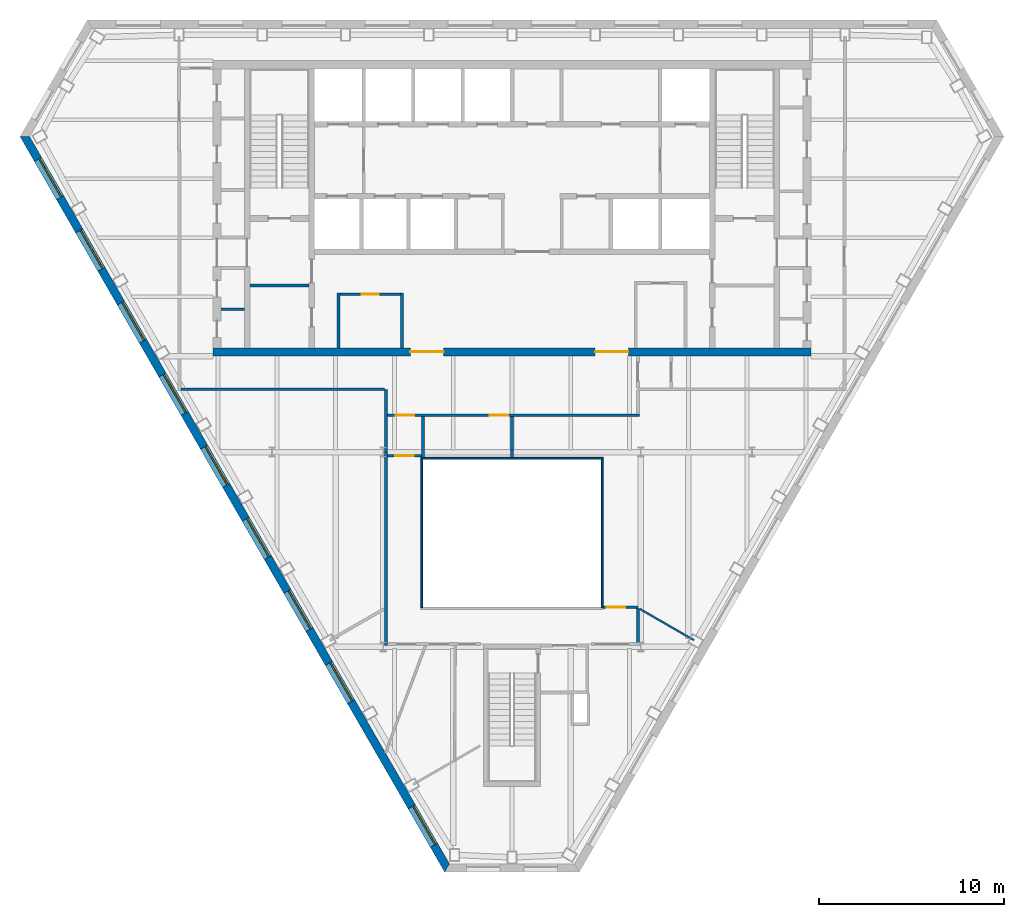
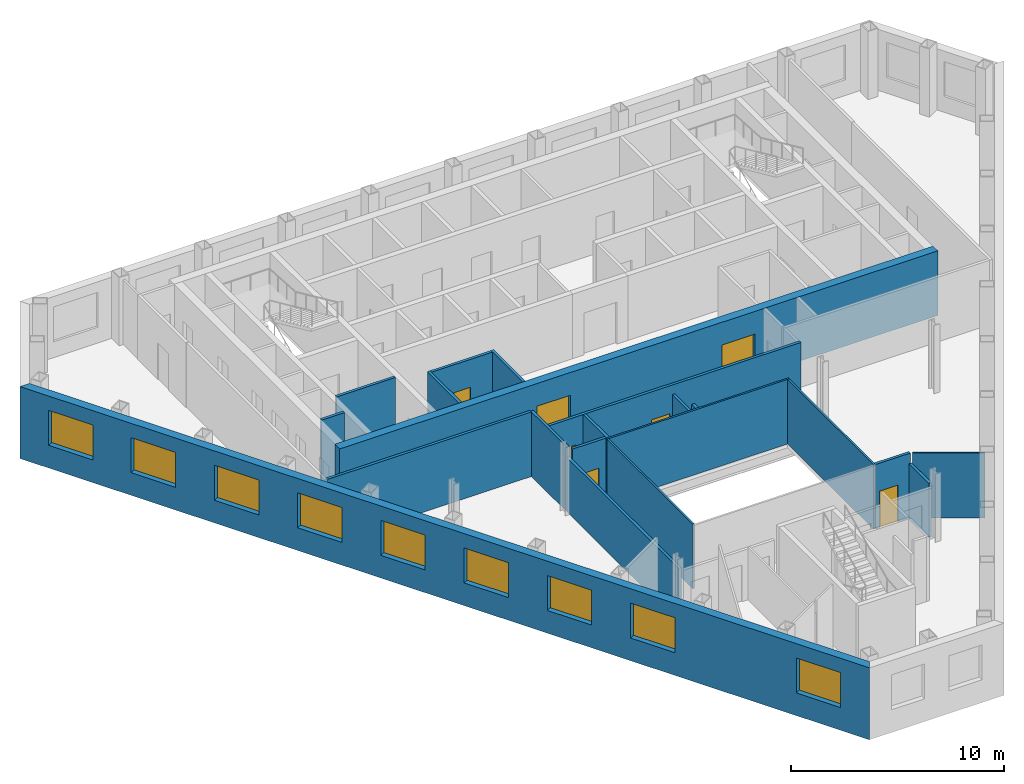
# One storey, part 4 of 11: 21 walls, 9 windows, 7 doors, 16 openings.
"""IFC4 building model written with IfcOpenShell, lengths in metres."""

from ifc_helpers import new_model, si_unit, direction, frame, frame_2d, origin, place, context, subcontext, project, spatial, polyline, rectangle, outline, extrude, material, layer, layer_set, type_object, element, fill, save


model = new_model("IFC4")

# Units and contexts
model_context = context("Model", 3, precision=1e-05, world=origin(), true_north=direction((0.0, 1.0)))
body_context = subcontext(model_context, "Body", "Model", "MODEL_VIEW")
ifc_project = project(units=[si_unit("LENGTHUNIT", "METRE"), si_unit("AREAUNIT", "SQUARE_METRE"), si_unit("VOLUMEUNIT", "CUBIC_METRE"), si_unit("PLANEANGLEUNIT", "RADIAN"), si_unit("MASSUNIT", "GRAM", prefix="KILO")], contexts=[model_context])

# Site, building, storey
site_placement = place(None, origin())
site = spatial("IfcSite", under=ifc_project, at=site_placement, CompositionType="ELEMENT")
building_placement = place(site_placement, origin())
building = spatial("IfcBuilding", under=site, at=building_placement, Name="Njiva Tower", CompositionType="ELEMENT")
storey_placement = place(building_placement, frame((0.0, 0.0, 212.1)))
storey = spatial("IfcBuildingStorey", under=building, at=storey_placement, Name="L47", CompositionType="ELEMENT", Elevation=212.1)

# Walls
ifc_material_1 = material(Name="Blockwork", Category="masonry")
ifc_layer_1 = layer(ifc_material_1, 0.15)
ifc_layer_set_1 = layer_set([ifc_layer_1], Name="Blockwork")
wall_type_1 = type_object("IfcWallType", Name="WT1 Compartment partition 150", PredefinedType="PARTITIONING", material=ifc_layer_set_1)
wall_1_placement = place(storey_placement, frame((-14.2, 5.825, 0.0), z_axis=(0.0, 0.0, 1.0), x_axis=(1.0, 0.0, 0.0)))
element("IfcWall", 1, at=wall_1_placement, inside=storey, type_object=wall_type_1, Name="Room wall A", PredefinedType="PARTITIONING", context=body_context, shape_type="SweptSolid", body=[
    extrude(rectangle(XDim=3.2, YDim=0.15, at=frame_2d((1.6, 0.0))), origin(), (0.0, 0.0, 1.0), 3.7),
])
wall_2_placement = place(storey_placement, frame((-15.75, 4.5363, 0.0), z_axis=(0.0, 0.0, 1.0), x_axis=(1.0, 0.0, 0.0)))
element("IfcWall", 2, at=wall_2_placement, inside=storey, type_object=wall_type_1, Name="Partition strip W00", PredefinedType="PARTITIONING", context=body_context, shape_type="SweptSolid", body=[
    extrude(rectangle(XDim=1.25, YDim=0.15, at=frame_2d((0.625, 0.0))), origin(), (0.0, 0.0, 1.0), 3.7),
])
for number, where, z_axis, x_axis, name in (
    (3, (-9.4, 2.45, 0.0), (0.0, 0.0, 1.0), (0.0, 1.0, 0.0), "Post room wall west"),
    (4, (-5.95, 2.45, 0.0), (0.0, 0.0, 1.0), (0.0, 1.0, 0.0), "Post room wall east"),
):
    element("IfcWall", number, at=place(storey_placement, frame(where, z_axis=z_axis, x_axis=x_axis)), inside=storey, type_object=wall_type_1, Name=name, PredefinedType="PARTITIONING", context=body_context, shape_type="SweptSolid", body=[
        extrude(rectangle(XDim=2.975, YDim=0.15, at=frame_2d((1.4875, 0.0))), origin(), (0.0, 0.0, 1.0), 3.7),
    ])

# Wall, opening, door
wall_3_placement = place(storey_placement, frame((-9.325, 5.35, 0.0), z_axis=(0.0, 0.0, 1.0), x_axis=(1.0, 0.0, 0.0)))
wall_3 = element("IfcWall", 5, at=wall_3_placement, inside=storey, type_object=wall_type_1, Name="Post room wall north", PredefinedType="PARTITIONING", context=body_context, shape_type="SweptSolid", body=[
    extrude(rectangle(XDim=3.3, YDim=0.15, at=frame_2d((1.65, 0.0))), origin(), (0.0, 0.0, 1.0), 3.7),
])
opening_1_placement = place(wall_3_placement, frame((1.2, 0.0, 0.0)))
opening_1 = element("IfcOpeningElement", 6, at=opening_1_placement, cuts=wall_3, Name="Opening S15-D935", PredefinedType="OPENING", context=body_context, shape_type="SweptSolid", body=[
    extrude(rectangle(XDim=0.9, YDim=2.1, at=frame_2d((0.45, 1.05))), frame((0.0, 0.085, 0.0), z_axis=(0.0, -1.0, 0.0), x_axis=(1.0, 0.0, 0.0)), (0.0, 0.0, 1.0), 0.17),
])
ifc_material_2 = material(Name="Steel fire door, painted", Category="steel")
door_type_1 = type_object("IfcDoorType", Name="D6 Fire-rated door 900x2100", OperationType="SINGLE_SWING_LEFT", PredefinedType="DOOR", material=ifc_material_2)
door_1_placement = place(opening_1_placement, origin())
door_1 = element("IfcDoor", 7, at=door_1_placement, inside=storey, type_object=door_type_1, Name="Post room door", OperationType="SINGLE_SWING_RIGHT", OverallHeight=2.1, OverallWidth=0.9, PredefinedType="DOOR", context=body_context, shape_type="SweptSolid", body=[
    extrude(rectangle(XDim=0.9, YDim=2.1, at=frame_2d((0.45, 1.05))), frame((0.0, 0.025, 0.0), z_axis=(0.0, -1.0, 0.0), x_axis=(1.0, 0.0, 0.0)), (0.0, 0.0, 1.0), 0.05),
])
fill(opening_1, door_1)

# Wall, openings, doors
ifc_material_3 = material(Name="Concrete C60/75", Category="concrete")
ifc_layer_2 = layer(ifc_material_3, 0.45)
ifc_layer_set_2 = layer_set([ifc_layer_2], Name="Concrete C60/75")
wall_type_2 = type_object("IfcWallType", Name="WT12 Core wall 450", PredefinedType="SHEAR", material=ifc_layer_set_2)
wall_4_placement = place(storey_placement, frame((-16.2, 2.225, 0.0), z_axis=(0.0, 0.0, 1.0), x_axis=(1.0, 0.0, 0.0)))
wall_4 = element("IfcWall", 8, at=wall_4_placement, inside=storey, type_object=wall_type_2, Name="Core wall south", PredefinedType="SHEAR", context=body_context, shape_type="SweptSolid", body=[
    extrude(rectangle(XDim=32.4, YDim=0.45, at=frame_2d((16.2, 0.0))), origin(), (0.0, 0.0, 1.0), 3.7),
])
opening_2_placement = place(wall_4_placement, frame((10.7, 0.0, 0.0)))
opening_2 = element("IfcOpeningElement", 9, at=opening_2_placement, cuts=wall_4, Name="Opening S15-D938", PredefinedType="OPENING", context=body_context, shape_type="SweptSolid", body=[
    extrude(rectangle(XDim=1.8, YDim=2.4, at=frame_2d((0.9, 1.2))), frame((0.0, 0.235, 0.0), z_axis=(0.0, -1.0, 0.0), x_axis=(1.0, 0.0, 0.0)), (0.0, 0.0, 1.0), 0.47),
])
opening_3_placement = place(wall_4_placement, frame((20.7, 0.0, 0.0)))
opening_3 = element("IfcOpeningElement", 10, at=opening_3_placement, cuts=wall_4, Name="Opening S15-D939", PredefinedType="OPENING", context=body_context, shape_type="SweptSolid", body=[
    extrude(rectangle(XDim=1.8, YDim=2.4, at=frame_2d((0.9, 1.2))), frame((0.0, 0.235, 0.0), z_axis=(0.0, -1.0, 0.0), x_axis=(1.0, 0.0, 0.0)), (0.0, 0.0, 1.0), 0.47),
])
ifc_material_4 = material(Name="Steel and glass door", Category="steel")
door_type_2 = type_object("IfcDoorType", Name="D3 Core entrance door 1800x2400", OperationType="DOUBLE_DOOR_SINGLE_SWING", PredefinedType="DOOR", material=ifc_material_4)
door_2_placement = place(opening_2_placement, origin())
door_2 = element("IfcDoor", 11, at=door_2_placement, inside=storey, type_object=door_type_2, Name="Core entrance door", OperationType="DOUBLE_DOOR_SINGLE_SWING", OverallHeight=2.4, OverallWidth=1.8, PredefinedType="DOOR", context=body_context, shape_type="SweptSolid", body=[
    extrude(rectangle(XDim=1.8, YDim=2.4, at=frame_2d((0.9, 1.2))), frame((0.0, 0.025, 0.0), z_axis=(0.0, -1.0, 0.0), x_axis=(1.0, 0.0, 0.0)), (0.0, 0.0, 1.0), 0.05),
])
fill(opening_2, door_2)
door_3_placement = place(opening_3_placement, origin())
door_3 = element("IfcDoor", 12, at=door_3_placement, inside=storey, type_object=door_type_2, Name="Core entrance door", OperationType="DOUBLE_DOOR_SINGLE_SWING", OverallHeight=2.4, OverallWidth=1.8, PredefinedType="DOOR", context=body_context, shape_type="SweptSolid", body=[
    extrude(rectangle(XDim=1.8, YDim=2.4, at=frame_2d((0.9, 1.2))), frame((0.0, 0.025, 0.0), z_axis=(0.0, -1.0, 0.0), x_axis=(1.0, 0.0, 0.0)), (0.0, 0.0, 1.0), 0.05),
])
fill(opening_3, door_3)

# Walls
ifc_material_5 = material(Name="Gypsum board on steel studs", Category="gypsum")
ifc_layer_3 = layer(ifc_material_5, 0.1)
ifc_layer_set_3 = layer_set([ifc_layer_3], Name="Gypsum board on steel studs")
wall_type_3 = type_object("IfcWallType", Name="WT20 Gypsum partition 100", PredefinedType="PARTITIONING", material=ifc_layer_set_3)
wall_5_placement = place(storey_placement, frame((6.92, -11.693, 0.0), z_axis=(0.0, 0.0, 1.0), x_axis=(0.866259181428, -0.499594866458, 0.0)))
element("IfcWall", 13, at=wall_5_placement, inside=storey, type_object=wall_type_3, Name="Partition S15-P023", PredefinedType="PARTITIONING", context=body_context, shape_type="SweptSolid", body=[
    extrude(rectangle(XDim=3.3927, YDim=0.1, at=frame_2d((1.6964, 0.0))), origin(), (0.0, 0.0, 1.0), 3.7),
])
ifc_layer_4 = layer(ifc_material_5, 0.15)
ifc_layer_set_4 = layer_set([ifc_layer_4], Name="Gypsum board on steel studs")
wall_type_4 = type_object("IfcWallType", Name="WT21 Compartment wall 150", PredefinedType="PARTITIONING", material=ifc_layer_set_4)
wall_6_placement = place(storey_placement, frame((-17.925, 0.2, 0.0), z_axis=(0.0, 0.0, 1.0), x_axis=(1.0, 0.0, 0.0)))
element("IfcWall", 14, at=wall_6_placement, inside=storey, type_object=wall_type_4, Name="Partition S15-P005", PredefinedType="PARTITIONING", context=body_context, shape_type="SweptSolid", body=[
    extrude(rectangle(XDim=11.03, YDim=0.15, at=frame_2d((5.515, 0.0))), origin(), (0.0, 0.0, 1.0), 3.7),
])
wall_7_placement = place(storey_placement, frame((-6.82, -13.675, 0.0), z_axis=(0.0, 0.0, 1.0), x_axis=(0.0, 1.0, 0.0)))
element("IfcWall", 15, at=wall_7_placement, inside=storey, type_object=wall_type_4, Name="Partition S15-P008", PredefinedType="PARTITIONING", context=body_context, shape_type="SweptSolid", body=[
    extrude(rectangle(XDim=10.475, YDim=0.15, at=frame_2d((5.2375, 0.0))), origin(), (0.0, 0.0, 1.0), 3.11),
])
wall_8_placement = place(storey_placement, frame((-6.82, -3.2, 0.0), z_axis=(0.0, 0.0, 1.0), x_axis=(0.0, 1.0, 0.0)))
element("IfcWall", 16, at=wall_8_placement, inside=storey, type_object=wall_type_4, Name="Partition S15-P008A", PredefinedType="PARTITIONING", context=body_context, shape_type="SweptSolid", body=[
    extrude(rectangle(XDim=3.395, YDim=0.15, at=frame_2d((1.6975, 0.0))), origin(), (0.0, 0.0, 1.0), 3.7),
])

# Wall, opening, door
wall_9_placement = place(storey_placement, frame((-6.745, -3.4, 0.0), z_axis=(0.0, 0.0, 1.0), x_axis=(1.0, 0.0, 0.0)))
wall_9 = element("IfcWall", 17, at=wall_9_placement, inside=storey, type_object=wall_type_4, Name="Partition S15-P010", PredefinedType="PARTITIONING", context=body_context, shape_type="SweptSolid", body=[
    extrude(rectangle(XDim=1.851, YDim=0.15, at=frame_2d((0.9255, 0.0))), origin(), (0.0, 0.0, 1.0), 3.7),
])
opening_4_placement = place(wall_9_placement, frame((0.425, 0.0, 0.0)))
opening_4 = element("IfcOpeningElement", 18, at=opening_4_placement, cuts=wall_9, Name="Opening S15-D006", PredefinedType="OPENING", context=body_context, shape_type="SweptSolid", body=[
    extrude(rectangle(XDim=1.0, YDim=2.1, at=frame_2d((0.5, 1.05))), frame((0.0, 0.085, 0.0), z_axis=(0.0, -1.0, 0.0), x_axis=(1.0, 0.0, 0.0)), (0.0, 0.0, 1.0), 0.17),
])
ifc_material_6 = material(Name="Steel fire door set", Category="steel")
door_type_3 = type_object("IfcDoorType", Name="D37 Fire door 1000x2100", OperationType="SINGLE_SWING_LEFT", PredefinedType="DOOR", material=ifc_material_6)
door_4_placement = place(opening_4_placement, origin())
door_4 = element("IfcDoor", 19, at=door_4_placement, inside=storey, type_object=door_type_3, Name="Door S15-D006", OperationType="SINGLE_SWING_RIGHT", OverallHeight=2.1, OverallWidth=1.0, PredefinedType="DOOR", context=body_context, shape_type="SweptSolid", body=[
    extrude(rectangle(XDim=1.0, YDim=2.1, at=frame_2d((0.5, 1.05))), frame((0.0, 0.025, 0.0), z_axis=(0.0, -1.0, 0.0), x_axis=(1.0, 0.0, 0.0)), (0.0, 0.0, 1.0), 0.05),
])
fill(opening_4, door_4)

# Wall, openings, doors
wall_10_placement = place(storey_placement, frame((-6.745, -1.2, 0.0), z_axis=(0.0, 0.0, 1.0), x_axis=(1.0, 0.0, 0.0)))
wall_10 = element("IfcWall", 20, at=wall_10_placement, inside=storey, type_object=wall_type_4, Name="Partition S15-P011", PredefinedType="PARTITIONING", context=body_context, shape_type="SweptSolid", body=[
    extrude(rectangle(XDim=13.64, YDim=0.15, at=frame_2d((6.82, 0.0))), origin(), (0.0, 0.0, 1.0), 3.7),
])
opening_5_placement = place(wall_10_placement, frame((0.462, 0.0, 0.0)))
opening_5 = element("IfcOpeningElement", 21, at=opening_5_placement, cuts=wall_10, Name="Opening S15-D007", PredefinedType="OPENING", context=body_context, shape_type="SweptSolid", body=[
    extrude(rectangle(XDim=1.0, YDim=2.1, at=frame_2d((0.5, 1.05))), frame((0.0, 0.085, 0.0), z_axis=(0.0, -1.0, 0.0), x_axis=(1.0, 0.0, 0.0)), (0.0, 0.0, 1.0), 0.17),
])
opening_6_placement = place(wall_10_placement, frame((5.544, 0.0, 0.0)))
opening_6 = element("IfcOpeningElement", 22, at=opening_6_placement, cuts=wall_10, Name="Opening S15-D008", PredefinedType="OPENING", context=body_context, shape_type="SweptSolid", body=[
    extrude(rectangle(XDim=1.0, YDim=2.1, at=frame_2d((0.5, 1.05))), frame((0.0, 0.085, 0.0), z_axis=(0.0, -1.0, 0.0), x_axis=(1.0, 0.0, 0.0)), (0.0, 0.0, 1.0), 0.17),
])
door_5_placement = place(opening_5_placement, origin())
door_5 = element("IfcDoor", 23, at=door_5_placement, inside=storey, type_object=door_type_3, Name="Door S15-D007", OperationType="SINGLE_SWING_RIGHT", OverallHeight=2.1, OverallWidth=1.0, PredefinedType="DOOR", context=body_context, shape_type="SweptSolid", body=[
    extrude(rectangle(XDim=1.0, YDim=2.1, at=frame_2d((0.5, 1.05))), frame((0.0, 0.025, 0.0), z_axis=(0.0, -1.0, 0.0), x_axis=(1.0, 0.0, 0.0)), (0.0, 0.0, 1.0), 0.05),
])
fill(opening_5, door_5)
door_6_placement = place(opening_6_placement, origin())
door_6 = element("IfcDoor", 24, at=door_6_placement, inside=storey, type_object=door_type_3, Name="Door S15-D008", OperationType="SINGLE_SWING_LEFT", OverallHeight=2.1, OverallWidth=1.0, PredefinedType="DOOR", context=body_context, shape_type="SweptSolid", body=[
    extrude(rectangle(XDim=1.0, YDim=2.1, at=frame_2d((0.5, 1.05))), frame((0.0, 0.025, 0.0), z_axis=(0.0, -1.0, 0.0), x_axis=(1.0, 0.0, 0.0)), (0.0, 0.0, 1.0), 0.05),
])
fill(opening_6, door_6)

# Walls
wall_11_placement = place(storey_placement, frame((-4.819, -3.48, 0.0), z_axis=(0.0, 0.0, 1.0), x_axis=(-0.000453514693, 0.999999897162, 0.0)))
element("IfcWall", 25, at=wall_11_placement, inside=storey, type_object=wall_type_4, Name="Partition S15-P013", PredefinedType="PARTITIONING", context=body_context, shape_type="SweptSolid", body=[
    extrude(rectangle(XDim=2.205, YDim=0.15, at=frame_2d((1.1025, 0.0))), origin(), (0.0, 0.0, 1.0), 3.7),
])
wall_12_placement = place(storey_placement, frame((0.0, -3.48, 0.0), z_axis=(0.0, 0.0, 1.0), x_axis=(0.0, 1.0, 0.0)))
element("IfcWall", 26, at=wall_12_placement, inside=storey, type_object=wall_type_4, Name="Partition S15-P016", PredefinedType="PARTITIONING", context=body_context, shape_type="SweptSolid", body=[
    extrude(rectangle(XDim=0.38, YDim=0.15, at=frame_2d((0.19, 0.0))), origin(), (0.0, 0.0, 1.0), 3.7),
])
wall_13_placement = place(storey_placement, frame((0.0, -3.1, 0.0), z_axis=(0.0, 0.0, 1.0), x_axis=(0.0, 1.0, 0.0)))
element("IfcWall", 27, at=wall_13_placement, inside=storey, type_object=wall_type_4, Name="Partition S15-P016A", PredefinedType="PARTITIONING", context=body_context, shape_type="SweptSolid", body=[
    extrude(rectangle(XDim=1.825, YDim=0.15, at=frame_2d((0.9125, 0.0))), origin(), (0.0, 0.0, 1.0), 3.15),
])

# Wall, opening, door
wall_14_placement = place(storey_placement, frame((4.94, -11.6, 0.0), z_axis=(0.0, 0.0, 1.0), x_axis=(1.0, 0.0, 0.0)))
wall_14 = element("IfcWall", 28, at=wall_14_placement, inside=storey, type_object=wall_type_4, Name="Partition S15-P018", PredefinedType="PARTITIONING", context=body_context, shape_type="SweptSolid", body=[
    extrude(rectangle(XDim=1.88, YDim=0.15, at=frame_2d((0.94, 0.0))), origin(), (0.0, 0.0, 1.0), 3.7),
])
opening_7_placement = place(wall_14_placement, frame((0.2, 0.0, 0.0)))
opening_7 = element("IfcOpeningElement", 29, at=opening_7_placement, cuts=wall_14, Name="Opening S15-D010", PredefinedType="OPENING", context=body_context, shape_type="SweptSolid", body=[
    extrude(rectangle(XDim=1.0, YDim=2.1, at=frame_2d((0.5, 1.05))), frame((0.0, 0.085, 0.0), z_axis=(0.0, -1.0, 0.0), x_axis=(1.0, 0.0, 0.0)), (0.0, 0.0, 1.0), 0.17),
])
door_7_placement = place(opening_7_placement, origin())
door_7 = element("IfcDoor", 30, at=door_7_placement, inside=storey, type_object=door_type_3, Name="Door S15-D010", OperationType="SINGLE_SWING_LEFT", OverallHeight=2.1, OverallWidth=1.0, PredefinedType="DOOR", context=body_context, shape_type="SweptSolid", body=[
    extrude(rectangle(XDim=1.0, YDim=2.1, at=frame_2d((0.5, 1.05))), frame((0.0, 0.025, 0.0), z_axis=(0.0, -1.0, 0.0), x_axis=(1.0, 0.0, 0.0)), (0.0, 0.0, 1.0), 0.05),
])
fill(opening_7, door_7)

# Wall
wall_15_placement = place(storey_placement, frame((6.82, -13.525, 0.0), z_axis=(0.0, 0.0, 1.0), x_axis=(0.0, 1.0, 0.0)))
element("IfcWall", 31, at=wall_15_placement, inside=storey, type_object=wall_type_4, Name="Partition S15-P019", PredefinedType="PARTITIONING", context=body_context, shape_type="SweptSolid", body=[
    extrude(rectangle(XDim=1.85, YDim=0.15, at=frame_2d((0.925, 0.0))), origin(), (0.0, 0.0, 1.0), 3.11),
])

# Wall, openings, windows
ifc_material_7 = material(Name="Brick masonry", Category="masonry")
ifc_layer_5 = layer(ifc_material_7, 0.45)
ifc_layer_set_5 = layer_set([ifc_layer_5], Name="Brick masonry")
wall_type_5 = type_object("IfcWallType", Name="WT90 Brick pier and spandrel wall 450", PredefinedType="SOLIDWALL", material=ifc_layer_set_5)
wall_16_placement = place(storey_placement, frame((-26.3852, 13.8867, -0.4), z_axis=(0.0, 0.0, 1.0), x_axis=(0.499999764979, -0.866025539474, 0.0)))
wall_16 = element("IfcWall", 32, at=wall_16_placement, inside=storey, type_object=wall_type_5, Name="Facade wall SW", PredefinedType="SOLIDWALL", context=body_context, shape_type="SweptSolid", body=[
    extrude(outline(polyline([(-0.1299, -0.225), (45.8701, -0.225), (45.6103, 0.225), (0.1299, 0.225), (-0.1299, -0.225)])), origin(), (0.0, 0.0, 1.0), 4.12),
])
opening_8_placement = place(wall_16_placement, frame((1.4242, 0.0, 1.3)))
opening_8 = element("IfcOpeningElement", 33, at=opening_8_placement, cuts=wall_16, Name="Opening S15-W12", PredefinedType="OPENING", context=body_context, shape_type="SweptSolid", body=[
    extrude(rectangle(XDim=2.4, YDim=2.0, at=frame_2d((1.2, 1.0))), frame((0.0, 0.235, 0.0), z_axis=(0.0, -1.0, 0.0), x_axis=(1.0, 0.0, 0.0)), (0.0, 0.0, 1.0), 0.47),
])
opening_9_placement = place(wall_16_placement, frame((5.8934, 0.0, 1.3)))
opening_9 = element("IfcOpeningElement", 34, at=opening_9_placement, cuts=wall_16, Name="Opening S15-W13", PredefinedType="OPENING", context=body_context, shape_type="SweptSolid", body=[
    extrude(rectangle(XDim=2.4, YDim=2.0, at=frame_2d((1.2, 1.0))), frame((0.0, 0.235, 0.0), z_axis=(0.0, -1.0, 0.0), x_axis=(1.0, 0.0, 0.0)), (0.0, 0.0, 1.0), 0.47),
])
opening_10_placement = place(wall_16_placement, frame((10.401, 0.0, 1.3)))
opening_10 = element("IfcOpeningElement", 35, at=opening_10_placement, cuts=wall_16, Name="Opening S15-W14", PredefinedType="OPENING", context=body_context, shape_type="SweptSolid", body=[
    extrude(rectangle(XDim=2.4, YDim=2.0, at=frame_2d((1.2, 1.0))), frame((0.0, 0.235, 0.0), z_axis=(0.0, -1.0, 0.0), x_axis=(1.0, 0.0, 0.0)), (0.0, 0.0, 1.0), 0.47),
])
opening_11_placement = place(wall_16_placement, frame((14.9087, 0.0, 1.3)))
opening_11 = element("IfcOpeningElement", 36, at=opening_11_placement, cuts=wall_16, Name="Opening S15-W15", PredefinedType="OPENING", context=body_context, shape_type="SweptSolid", body=[
    extrude(rectangle(XDim=2.4, YDim=2.0, at=frame_2d((1.2, 1.0))), frame((0.0, 0.235, 0.0), z_axis=(0.0, -1.0, 0.0), x_axis=(1.0, 0.0, 0.0)), (0.0, 0.0, 1.0), 0.47),
])
opening_12_placement = place(wall_16_placement, frame((19.4163, 0.0, 1.3)))
opening_12 = element("IfcOpeningElement", 37, at=opening_12_placement, cuts=wall_16, Name="Opening S15-W16", PredefinedType="OPENING", context=body_context, shape_type="SweptSolid", body=[
    extrude(rectangle(XDim=2.4, YDim=2.0, at=frame_2d((1.2, 1.0))), frame((0.0, 0.235, 0.0), z_axis=(0.0, -1.0, 0.0), x_axis=(1.0, 0.0, 0.0)), (0.0, 0.0, 1.0), 0.47),
])
opening_13_placement = place(wall_16_placement, frame((23.9239, 0.0, 1.3)))
opening_13 = element("IfcOpeningElement", 38, at=opening_13_placement, cuts=wall_16, Name="Opening S15-W17", PredefinedType="OPENING", context=body_context, shape_type="SweptSolid", body=[
    extrude(rectangle(XDim=2.4, YDim=2.0, at=frame_2d((1.2, 1.0))), frame((0.0, 0.235, 0.0), z_axis=(0.0, -1.0, 0.0), x_axis=(1.0, 0.0, 0.0)), (0.0, 0.0, 1.0), 0.47),
])
opening_14_placement = place(wall_16_placement, frame((28.4315, 0.0, 1.3)))
opening_14 = element("IfcOpeningElement", 39, at=opening_14_placement, cuts=wall_16, Name="Opening S15-W18", PredefinedType="OPENING", context=body_context, shape_type="SweptSolid", body=[
    extrude(rectangle(XDim=2.4, YDim=2.0, at=frame_2d((1.2, 1.0))), frame((0.0, 0.235, 0.0), z_axis=(0.0, -1.0, 0.0), x_axis=(1.0, 0.0, 0.0)), (0.0, 0.0, 1.0), 0.47),
])
opening_15_placement = place(wall_16_placement, frame((32.9391, 0.0, 1.3)))
opening_15 = element("IfcOpeningElement", 40, at=opening_15_placement, cuts=wall_16, Name="Opening S15-W19", PredefinedType="OPENING", context=body_context, shape_type="SweptSolid", body=[
    extrude(rectangle(XDim=2.4, YDim=2.0, at=frame_2d((1.2, 1.0))), frame((0.0, 0.235, 0.0), z_axis=(0.0, -1.0, 0.0), x_axis=(1.0, 0.0, 0.0)), (0.0, 0.0, 1.0), 0.47),
])
opening_16_placement = place(wall_16_placement, frame((41.916, 0.0, 1.3)))
opening_16 = element("IfcOpeningElement", 41, at=opening_16_placement, cuts=wall_16, Name="Opening S15-W20", PredefinedType="OPENING", context=body_context, shape_type="SweptSolid", body=[
    extrude(rectangle(XDim=2.4, YDim=2.0, at=frame_2d((1.2, 1.0))), frame((0.0, 0.235, 0.0), z_axis=(0.0, -1.0, 0.0), x_axis=(1.0, 0.0, 0.0)), (0.0, 0.0, 1.0), 0.47),
])
ifc_material_8 = material(Name="Clear glazing in aluminium frame", Category="aluminium")
window_type = type_object("IfcWindowType", Name="W90 Deep-set window 2400x2000", PartitioningType="SINGLE_PANEL", PredefinedType="WINDOW", material=ifc_material_8)
window_1_placement = place(opening_8_placement, origin())
window_1 = element("IfcWindow", 42, at=window_1_placement, inside=storey, type_object=window_type, Name="Window", OverallHeight=2.0, OverallWidth=2.4, PartitioningType="SINGLE_PANEL", PredefinedType="WINDOW", context=body_context, shape_type="SweptSolid", body=[
    extrude(rectangle(XDim=2.4, YDim=2.0, at=frame_2d((1.2, 1.0))), frame((0.0, 0.105, 0.0), z_axis=(0.0, -1.0, 0.0), x_axis=(1.0, 0.0, 0.0)), (0.0, 0.0, 1.0), 0.06),
])
fill(opening_8, window_1)
window_2_placement = place(opening_9_placement, origin())
window_2 = element("IfcWindow", 43, at=window_2_placement, inside=storey, type_object=window_type, Name="Window", OverallHeight=2.0, OverallWidth=2.4, PartitioningType="SINGLE_PANEL", PredefinedType="WINDOW", context=body_context, shape_type="SweptSolid", body=[
    extrude(rectangle(XDim=2.4, YDim=2.0, at=frame_2d((1.2, 1.0))), frame((0.0, 0.105, 0.0), z_axis=(0.0, -1.0, 0.0), x_axis=(1.0, 0.0, 0.0)), (0.0, 0.0, 1.0), 0.06),
])
fill(opening_9, window_2)
window_3_placement = place(opening_10_placement, origin())
window_3 = element("IfcWindow", 44, at=window_3_placement, inside=storey, type_object=window_type, Name="Window", OverallHeight=2.0, OverallWidth=2.4, PartitioningType="SINGLE_PANEL", PredefinedType="WINDOW", context=body_context, shape_type="SweptSolid", body=[
    extrude(rectangle(XDim=2.4, YDim=2.0, at=frame_2d((1.2, 1.0))), frame((0.0, 0.105, 0.0), z_axis=(0.0, -1.0, 0.0), x_axis=(1.0, 0.0, 0.0)), (0.0, 0.0, 1.0), 0.06),
])
fill(opening_10, window_3)
window_4_placement = place(opening_11_placement, origin())
window_4 = element("IfcWindow", 45, at=window_4_placement, inside=storey, type_object=window_type, Name="Window", OverallHeight=2.0, OverallWidth=2.4, PartitioningType="SINGLE_PANEL", PredefinedType="WINDOW", context=body_context, shape_type="SweptSolid", body=[
    extrude(rectangle(XDim=2.4, YDim=2.0, at=frame_2d((1.2, 1.0))), frame((0.0, 0.105, 0.0), z_axis=(0.0, -1.0, 0.0), x_axis=(1.0, 0.0, 0.0)), (0.0, 0.0, 1.0), 0.06),
])
fill(opening_11, window_4)
window_5_placement = place(opening_12_placement, origin())
window_5 = element("IfcWindow", 46, at=window_5_placement, inside=storey, type_object=window_type, Name="Window", OverallHeight=2.0, OverallWidth=2.4, PartitioningType="SINGLE_PANEL", PredefinedType="WINDOW", context=body_context, shape_type="SweptSolid", body=[
    extrude(rectangle(XDim=2.4, YDim=2.0, at=frame_2d((1.2, 1.0))), frame((0.0, 0.105, 0.0), z_axis=(0.0, -1.0, 0.0), x_axis=(1.0, 0.0, 0.0)), (0.0, 0.0, 1.0), 0.06),
])
fill(opening_12, window_5)
window_6_placement = place(opening_13_placement, origin())
window_6 = element("IfcWindow", 47, at=window_6_placement, inside=storey, type_object=window_type, Name="Window", OverallHeight=2.0, OverallWidth=2.4, PartitioningType="SINGLE_PANEL", PredefinedType="WINDOW", context=body_context, shape_type="SweptSolid", body=[
    extrude(rectangle(XDim=2.4, YDim=2.0, at=frame_2d((1.2, 1.0))), frame((0.0, 0.105, 0.0), z_axis=(0.0, -1.0, 0.0), x_axis=(1.0, 0.0, 0.0)), (0.0, 0.0, 1.0), 0.06),
])
fill(opening_13, window_6)
window_7_placement = place(opening_14_placement, origin())
window_7 = element("IfcWindow", 48, at=window_7_placement, inside=storey, type_object=window_type, Name="Window", OverallHeight=2.0, OverallWidth=2.4, PartitioningType="SINGLE_PANEL", PredefinedType="WINDOW", context=body_context, shape_type="SweptSolid", body=[
    extrude(rectangle(XDim=2.4, YDim=2.0, at=frame_2d((1.2, 1.0))), frame((0.0, 0.105, 0.0), z_axis=(0.0, -1.0, 0.0), x_axis=(1.0, 0.0, 0.0)), (0.0, 0.0, 1.0), 0.06),
])
fill(opening_14, window_7)
window_8_placement = place(opening_15_placement, origin())
window_8 = element("IfcWindow", 49, at=window_8_placement, inside=storey, type_object=window_type, Name="Window", OverallHeight=2.0, OverallWidth=2.4, PartitioningType="SINGLE_PANEL", PredefinedType="WINDOW", context=body_context, shape_type="SweptSolid", body=[
    extrude(rectangle(XDim=2.4, YDim=2.0, at=frame_2d((1.2, 1.0))), frame((0.0, 0.105, 0.0), z_axis=(0.0, -1.0, 0.0), x_axis=(1.0, 0.0, 0.0)), (0.0, 0.0, 1.0), 0.06),
])
fill(opening_15, window_8)
window_9_placement = place(opening_16_placement, origin())
window_9 = element("IfcWindow", 50, at=window_9_placement, inside=storey, type_object=window_type, Name="Window", OverallHeight=2.0, OverallWidth=2.4, PartitioningType="SINGLE_PANEL", PredefinedType="WINDOW", context=body_context, shape_type="SweptSolid", body=[
    extrude(rectangle(XDim=2.4, YDim=2.0, at=frame_2d((1.2, 1.0))), frame((0.0, 0.105, 0.0), z_axis=(0.0, -1.0, 0.0), x_axis=(1.0, 0.0, 0.0)), (0.0, 0.0, 1.0), 0.06),
])
fill(opening_16, window_9)

# Walls
ifc_material_9 = material(Name="Fire-resisting glazing EI 90", Category="glass")
ifc_layer_6 = layer(ifc_material_9, 0.1)
ifc_layer_set_6 = layer_set([ifc_layer_6], Name="Fire-resisting glazing EI 90")
wall_type_6 = type_object("IfcWallType", Name="WT95 Fire-resisting glazed screen EI 90", PredefinedType="PARTITIONING", material=ifc_layer_set_6)
wall_17_placement = place(storey_placement, frame((4.89, -11.62, 0.0), z_axis=(0.0, 0.0, 1.0), x_axis=(0.0, 1.0, 0.0)))
element("IfcWall", 51, at=wall_17_placement, inside=storey, type_object=wall_type_6, Name="Atrium fire screen east", PredefinedType="PARTITIONING", context=body_context, shape_type="SweptSolid", body=[
    extrude(rectangle(XDim=8.04, YDim=0.1, at=frame_2d((4.02, 0.0))), origin(), (0.0, 0.0, 1.0), 3.7),
])
wall_18_placement = place(storey_placement, frame((4.94, -3.53, 0.0), z_axis=(0.0, 0.0, 1.0), x_axis=(-1.0, 0.0, 0.0)))
element("IfcWall", 52, at=wall_18_placement, inside=storey, type_object=wall_type_6, Name="Atrium fire screen north", PredefinedType="PARTITIONING", context=body_context, shape_type="SweptSolid", body=[
    extrude(rectangle(XDim=9.88, YDim=0.1, at=frame_2d((4.94, 0.0))), origin(), (0.0, 0.0, 1.0), 3.7),
])
wall_19_placement = place(storey_placement, frame((-4.89, -3.58, 0.0), z_axis=(0.0, 0.0, 1.0), x_axis=(0.0, -1.0, 0.0)))
element("IfcWall", 53, at=wall_19_placement, inside=storey, type_object=wall_type_6, Name="Atrium fire screen west", PredefinedType="PARTITIONING", context=body_context, shape_type="SweptSolid", body=[
    extrude(rectangle(XDim=8.04, YDim=0.1, at=frame_2d((4.02, 0.0))), origin(), (0.0, 0.0, 1.0), 3.7),
])

save(model, "model.ifc")
